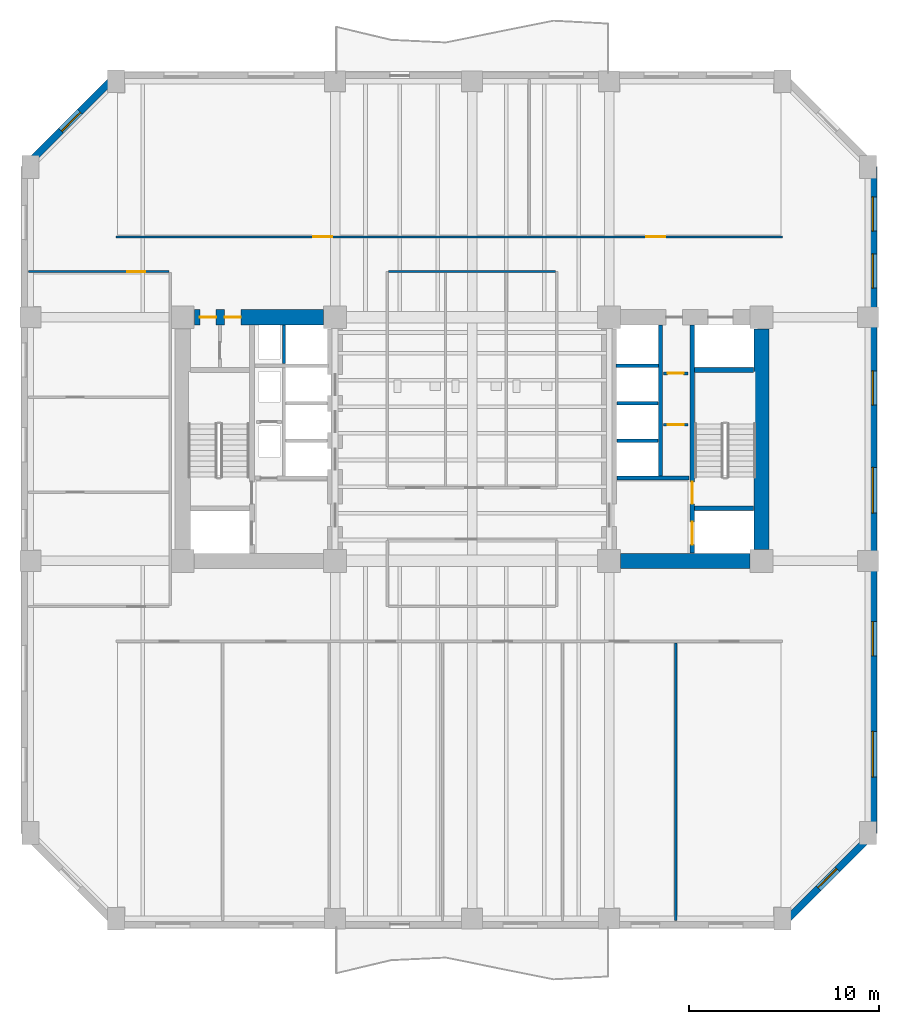
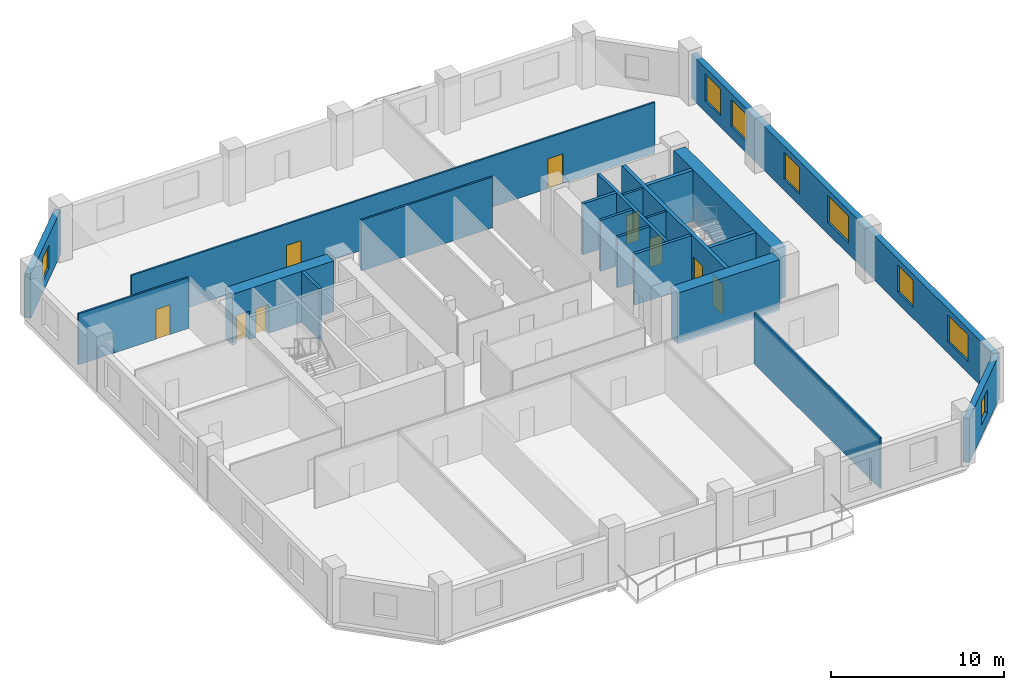
# One storey, part 4 of 10: 21 walls, 9 doors, 8 windows, 17 openings.
"""IFC4 building model written with IfcOpenShell, lengths in metres."""

from ifc_helpers import new_model, si_unit, direction, frame, frame_2d, origin, place, context, subcontext, project, spatial, rectangle, extrude, material, layer, layer_set, type_object, element, fill, save


model = new_model("IFC4")

# Units and contexts
model_context = context("Model", 3, precision=1e-05, world=origin(), true_north=direction((0.0, 1.0)))
body_context = subcontext(model_context, "Body", "Model", "MODEL_VIEW")
ifc_project = project(units=[si_unit("LENGTHUNIT", "METRE"), si_unit("AREAUNIT", "SQUARE_METRE"), si_unit("VOLUMEUNIT", "CUBIC_METRE"), si_unit("PLANEANGLEUNIT", "RADIAN"), si_unit("MASSUNIT", "GRAM", prefix="KILO")], contexts=[model_context])

# Site, building, storey
site_placement = place(None, origin())
site = spatial("IfcSite", under=ifc_project, at=site_placement, CompositionType="ELEMENT")
building_placement = place(site_placement, origin())
building = spatial("IfcBuilding", under=site, at=building_placement, Name="Kranthara Brick Stack", CompositionType="ELEMENT")
storey_placement = place(building_placement, frame((0.0, 0.0, 36.0)))
storey = spatial("IfcBuildingStorey", under=building, at=storey_placement, Name="L08", CompositionType="ELEMENT", Elevation=36.0)

# Wall, opening, window
ifc_material_1 = material(Name="Kiln-fired clay brick masonry M15", Category="masonry")
ifc_layer_1 = layer(ifc_material_1, 0.3798828125)
ifc_layer_set_1 = layer_set([ifc_layer_1], Name="Kiln-fired clay brick masonry M15")
wall_type_1 = type_object("IfcWallType", Name="WL-BRK-PIER-380", PredefinedType="STANDARD", material=ifc_layer_set_1)
wall_1_placement = place(storey_placement, frame((4.510009765625, 41.5, 0.0), z_axis=(0.0, 0.0, 1.0), x_axis=(0.707106781187, 0.707106781187, 0.0)))
wall_1 = element("IfcWall", 1, at=wall_1_placement, inside=storey, type_object=wall_type_1, Name="L08 Exterior Brick Facade Wall NW 1", PredefinedType="STANDARD", context=body_context, shape_type="SweptSolid", body=[
    extrude(rectangle(XDim=6.774169921875, YDim=0.3798828125, at=frame_2d((3.38720703125, 0.0))), origin(), (0.0, 0.0, 1.0), 3.135009765625),
])
opening_1_placement = place(wall_1_placement, frame((2.68701171875, 0.0, 0.800048828125)))
opening_1 = element("IfcOpeningElement", 2, at=opening_1_placement, cuts=wall_1, Name="Opening WN10", PredefinedType="OPENING", context=body_context, shape_type="SweptSolid", body=[
    extrude(rectangle(XDim=1.39990234375, YDim=1.64990234375, at=frame_2d((0.699951171875, 0.824951171875))), frame((0.0, 0.199951171875, 0.0), z_axis=(0.0, -1.0, 0.0), x_axis=(1.0, 0.0, 0.0)), (0.0, 0.0, 1.0), 0.39990234375),
])
ifc_material_2 = material(Name="Double-glazed low-E solar control glass", Category="glass")
window_type_1 = type_object("IfcWindowType", Name="WN-CHM-1400x1750", PartitioningType="SINGLE_PANEL", PredefinedType="WINDOW", material=ifc_material_2)
window_1_placement = place(opening_1_placement, origin())
window_1 = element("IfcWindow", 3, at=window_1_placement, inside=storey, type_object=window_type_1, Name="L08 NW Chamfer Corner Window", OverallHeight=1.64990234375, OverallWidth=1.39990234375, PartitioningType="SINGLE_PANEL", PredefinedType="WINDOW", context=body_context, shape_type="SweptSolid", body=[
    extrude(rectangle(XDim=1.39990234375, YDim=1.64990234375, at=frame_2d((0.699951171875, 0.824951171875))), frame((0.0, -0.010009765625, 0.0), z_axis=(0.0, -1.0, 0.0), x_axis=(1.0, 0.0, 0.0)), (0.0, 0.0, 1.0), 0.06005859375),
])
fill(opening_1, window_1)

# Wall, openings, windows
wall_2_placement = place(storey_placement, frame((49.090087890625, 41.5, 0.0), z_axis=(0.0, 0.0, 1.0), x_axis=(0.0, -1.0, 0.0)))
wall_2 = element("IfcWall", 4, at=wall_2_placement, inside=storey, type_object=wall_type_1, Name="L08 Exterior Brick Facade Wall EAST 1", PredefinedType="STANDARD", context=body_context, shape_type="SweptSolid", body=[
    extrude(rectangle(XDim=35.0, YDim=0.3798828125, at=frame_2d((17.5, 0.0))), origin(), (0.0, 0.0, 1.0), 3.135009765625),
])
opening_2_placement = place(wall_2_placement, frame((1.574951171875, 0.0, 0.800048828125)))
opening_2 = element("IfcOpeningElement", 5, at=opening_2_placement, cuts=wall_2, Name="Opening WN01", PredefinedType="OPENING", context=body_context, shape_type="SweptSolid", body=[
    extrude(rectangle(XDim=1.800048828125, YDim=1.89990234375, at=frame_2d((0.89990234375, 0.949951171875))), frame((0.0, 0.199951171875, 0.0), z_axis=(0.0, -1.0, 0.0), x_axis=(1.0, 0.0, 0.0)), (0.0, 0.0, 1.0), 0.39990234375),
])
opening_3_placement = place(wall_2_placement, frame((4.574951171875, 0.0, 0.800048828125)))
opening_3 = element("IfcOpeningElement", 6, at=opening_3_placement, cuts=wall_2, Name="Opening WN01", PredefinedType="OPENING", context=body_context, shape_type="SweptSolid", body=[
    extrude(rectangle(XDim=1.800048828125, YDim=1.89990234375, at=frame_2d((0.89990234375, 0.949951171875))), frame((0.0, 0.199951171875, 0.0), z_axis=(0.0, -1.0, 0.0), x_axis=(1.0, 0.0, 0.0)), (0.0, 0.0, 1.0), 0.39990234375),
])
opening_4_placement = place(wall_2_placement, frame((10.7119140625, 0.0, 0.800048828125)))
opening_4 = element("IfcOpeningElement", 7, at=opening_4_placement, cuts=wall_2, Name="Opening WN01", PredefinedType="OPENING", context=body_context, shape_type="SweptSolid", body=[
    extrude(rectangle(XDim=1.800048828125, YDim=1.89990234375, at=frame_2d((0.89990234375, 0.949951171875))), frame((0.0, 0.199951171875, 0.0), z_axis=(0.0, -1.0, 0.0), x_axis=(1.0, 0.0, 0.0)), (0.0, 0.0, 1.0), 0.39990234375),
])
opening_5_placement = place(wall_2_placement, frame((15.7880859375, 0.0, 0.800048828125)))
opening_5 = element("IfcOpeningElement", 8, at=opening_5_placement, cuts=wall_2, Name="Opening WN02", PredefinedType="OPENING", context=body_context, shape_type="SweptSolid", body=[
    extrude(rectangle(XDim=2.39990234375, YDim=1.89990234375, at=frame_2d((1.199951171875, 0.949951171875))), frame((0.0, 0.199951171875, 0.0), z_axis=(0.0, -1.0, 0.0), x_axis=(1.0, 0.0, 0.0)), (0.0, 0.0, 1.0), 0.39990234375),
])
opening_6_placement = place(wall_2_placement, frame((23.888916015625, 0.0, 0.800048828125)))
opening_6 = element("IfcOpeningElement", 9, at=opening_6_placement, cuts=wall_2, Name="Opening WN01", PredefinedType="OPENING", context=body_context, shape_type="SweptSolid", body=[
    extrude(rectangle(XDim=1.800048828125, YDim=1.89990234375, at=frame_2d((0.89990234375, 0.949951171875))), frame((0.0, 0.199951171875, 0.0), z_axis=(0.0, -1.0, 0.0), x_axis=(1.0, 0.0, 0.0)), (0.0, 0.0, 1.0), 0.39990234375),
])
opening_7_placement = place(wall_2_placement, frame((29.660888671875, 0.0, 0.800048828125)))
opening_7 = element("IfcOpeningElement", 10, at=opening_7_placement, cuts=wall_2, Name="Opening WN02", PredefinedType="OPENING", context=body_context, shape_type="SweptSolid", body=[
    extrude(rectangle(XDim=2.39990234375, YDim=1.89990234375, at=frame_2d((1.199951171875, 0.949951171875))), frame((0.0, 0.199951171875, 0.0), z_axis=(0.0, -1.0, 0.0), x_axis=(1.0, 0.0, 0.0)), (0.0, 0.0, 1.0), 0.39990234375),
])
ifc_material_3 = material(Name="Double-glazed low-E solar control glass", Category="glass")
window_type_2 = type_object("IfcWindowType", Name="WN-OFF-1800x2000", PartitioningType="SINGLE_PANEL", PredefinedType="WINDOW", material=ifc_material_3)
window_2_placement = place(opening_2_placement, origin())
window_2 = element("IfcWindow", 11, at=window_2_placement, inside=storey, type_object=window_type_2, Name="L08 East Deep-Set Brick Window 01", OverallHeight=1.89990234375, OverallWidth=1.800048828125, PartitioningType="SINGLE_PANEL", PredefinedType="WINDOW", context=body_context, shape_type="SweptSolid", body=[
    extrude(rectangle(XDim=1.800048828125, YDim=1.89990234375, at=frame_2d((0.89990234375, 0.949951171875))), frame((0.0, -0.010009765625, 0.0), z_axis=(0.0, -1.0, 0.0), x_axis=(1.0, 0.0, 0.0)), (0.0, 0.0, 1.0), 0.06005859375),
])
fill(opening_2, window_2)
window_3_placement = place(opening_3_placement, origin())
window_3 = element("IfcWindow", 12, at=window_3_placement, inside=storey, type_object=window_type_2, Name="L08 East Deep-Set Brick Window 02", OverallHeight=1.89990234375, OverallWidth=1.800048828125, PartitioningType="SINGLE_PANEL", PredefinedType="WINDOW", context=body_context, shape_type="SweptSolid", body=[
    extrude(rectangle(XDim=1.800048828125, YDim=1.89990234375, at=frame_2d((0.89990234375, 0.949951171875))), frame((0.0, -0.010009765625, 0.0), z_axis=(0.0, -1.0, 0.0), x_axis=(1.0, 0.0, 0.0)), (0.0, 0.0, 1.0), 0.06005859375),
])
fill(opening_3, window_3)
window_4_placement = place(opening_4_placement, origin())
window_4 = element("IfcWindow", 13, at=window_4_placement, inside=storey, type_object=window_type_2, Name="L08 East Deep-Set Brick Window 03", OverallHeight=1.89990234375, OverallWidth=1.800048828125, PartitioningType="SINGLE_PANEL", PredefinedType="WINDOW", context=body_context, shape_type="SweptSolid", body=[
    extrude(rectangle(XDim=1.800048828125, YDim=1.89990234375, at=frame_2d((0.89990234375, 0.949951171875))), frame((0.0, -0.010009765625, 0.0), z_axis=(0.0, -1.0, 0.0), x_axis=(1.0, 0.0, 0.0)), (0.0, 0.0, 1.0), 0.06005859375),
])
fill(opening_4, window_4)
window_5_placement = place(opening_6_placement, origin())
window_5 = element("IfcWindow", 14, at=window_5_placement, inside=storey, type_object=window_type_2, Name="L08 East Deep-Set Brick Window 05", OverallHeight=1.89990234375, OverallWidth=1.800048828125, PartitioningType="SINGLE_PANEL", PredefinedType="WINDOW", context=body_context, shape_type="SweptSolid", body=[
    extrude(rectangle(XDim=1.800048828125, YDim=1.89990234375, at=frame_2d((0.89990234375, 0.949951171875))), frame((0.0, -0.010009765625, 0.0), z_axis=(0.0, -1.0, 0.0), x_axis=(1.0, 0.0, 0.0)), (0.0, 0.0, 1.0), 0.06005859375),
])
fill(opening_6, window_5)
ifc_material_4 = material(Name="Double-glazed low-E solar control glass", Category="glass")
window_type_3 = type_object("IfcWindowType", Name="WN-OFF-2400x2000", PartitioningType="DOUBLE_PANEL_VERTICAL", PredefinedType="WINDOW", material=ifc_material_4)
window_6_placement = place(opening_5_placement, origin())
window_6 = element("IfcWindow", 15, at=window_6_placement, inside=storey, type_object=window_type_3, Name="L08 East Deep-Set Brick Window 04", OverallHeight=1.89990234375, OverallWidth=2.39990234375, PartitioningType="SINGLE_PANEL", PredefinedType="WINDOW", context=body_context, shape_type="SweptSolid", body=[
    extrude(rectangle(XDim=2.39990234375, YDim=1.89990234375, at=frame_2d((1.199951171875, 0.949951171875))), frame((0.0, -0.010009765625, 0.0), z_axis=(0.0, -1.0, 0.0), x_axis=(1.0, 0.0, 0.0)), (0.0, 0.0, 1.0), 0.06005859375),
])
fill(opening_5, window_6)
window_7_placement = place(opening_7_placement, origin())
window_7 = element("IfcWindow", 16, at=window_7_placement, inside=storey, type_object=window_type_3, Name="L08 East Deep-Set Brick Window 06", OverallHeight=1.89990234375, OverallWidth=2.39990234375, PartitioningType="SINGLE_PANEL", PredefinedType="WINDOW", context=body_context, shape_type="SweptSolid", body=[
    extrude(rectangle(XDim=2.39990234375, YDim=1.89990234375, at=frame_2d((1.199951171875, 0.949951171875))), frame((0.0, -0.010009765625, 0.0), z_axis=(0.0, -1.0, 0.0), x_axis=(1.0, 0.0, 0.0)), (0.0, 0.0, 1.0), 0.06005859375),
])
fill(opening_7, window_7)

# Wall, opening, window
wall_3_placement = place(storey_placement, frame((49.090087890625, 6.5, 0.0), z_axis=(0.0, 0.0, 1.0), x_axis=(-0.707106781187, -0.707106781187, 0.0)))
wall_3 = element("IfcWall", 17, at=wall_3_placement, inside=storey, type_object=wall_type_1, Name="L08 Exterior Brick Facade Wall SE 1", PredefinedType="STANDARD", context=body_context, shape_type="SweptSolid", body=[
    extrude(rectangle(XDim=6.774169921875, YDim=0.3798828125, at=frame_2d((3.38720703125, 0.0))), origin(), (0.0, 0.0, 1.0), 3.135009765625),
])
opening_8_placement = place(wall_3_placement, frame((2.68701171875, 0.0, 0.800048828125)))
opening_8 = element("IfcOpeningElement", 18, at=opening_8_placement, cuts=wall_3, Name="Opening WN10", PredefinedType="OPENING", context=body_context, shape_type="SweptSolid", body=[
    extrude(rectangle(XDim=1.39990234375, YDim=1.64990234375, at=frame_2d((0.699951171875, 0.824951171875))), frame((0.0, 0.199951171875, 0.0), z_axis=(0.0, -1.0, 0.0), x_axis=(1.0, 0.0, 0.0)), (0.0, 0.0, 1.0), 0.39990234375),
])
window_8_placement = place(opening_8_placement, origin())
window_8 = element("IfcWindow", 19, at=window_8_placement, inside=storey, type_object=window_type_1, Name="L08 SE Chamfer Corner Window", OverallHeight=1.64990234375, OverallWidth=1.39990234375, PartitioningType="SINGLE_PANEL", PredefinedType="WINDOW", context=body_context, shape_type="SweptSolid", body=[
    extrude(rectangle(XDim=1.39990234375, YDim=1.64990234375, at=frame_2d((0.699951171875, 0.824951171875))), frame((0.0, -0.010009765625, 0.0), z_axis=(0.0, -1.0, 0.0), x_axis=(1.0, 0.0, 0.0)), (0.0, 0.0, 1.0), 0.06005859375),
])
fill(opening_8, window_8)

# Wall, openings, doors
ifc_material_5 = material(Name="Concrete C50/60", Category="concrete")
ifc_layer_2 = layer(ifc_material_5, 0.25)
ifc_layer_set_2 = layer_set([ifc_layer_2], Name="Concrete C50/60")
wall_type_2 = type_object("IfcWallType", Name="WL-CORE-250", PredefinedType="SHEAR", material=ifc_layer_set_2)
wall_4_placement = place(storey_placement, frame((39.56494140625, 21.2099609375, 0.0), z_axis=(0.0, 0.0, 1.0), x_axis=(0.0, 1.0, 0.0)))
wall_4 = element("IfcWall", 20, at=wall_4_placement, inside=storey, type_object=wall_type_2, Name="L08 East Core Stair Bearing Spine Wall", PredefinedType="SHEAR", context=body_context, shape_type="SweptSolid", body=[
    extrude(rectangle(XDim=11.97998046875, YDim=0.25, at=frame_2d((5.989990234375, 0.0))), origin(), (0.0, 0.0, 1.0), 3.60009765625),
])
opening_9_placement = place(wall_4_placement, frame((0.43994140625, 0.0, 0.0)))
opening_9 = element("IfcOpeningElement", 21, at=opening_9_placement, cuts=wall_4, Name="Opening LD01", PredefinedType="OPENING", context=body_context, shape_type="SweptSolid", body=[
    extrude(rectangle(XDim=1.199951171875, YDim=2.14990234375, at=frame_2d((0.60009765625, 1.074951171875))), frame((0.0, 0.135009765625, 0.0), z_axis=(0.0, -1.0, 0.0), x_axis=(1.0, 0.0, 0.0)), (0.0, 0.0, 1.0), 0.27001953125),
])
opening_10_placement = place(wall_4_placement, frame((2.590087890625, 0.0, 0.0)))
opening_10 = element("IfcOpeningElement", 22, at=opening_10_placement, cuts=wall_4, Name="Opening D05", PredefinedType="OPENING", context=body_context, shape_type="SweptSolid", body=[
    extrude(rectangle(XDim=1.14990234375, YDim=2.14990234375, at=frame_2d((0.574951171875, 1.074951171875))), frame((0.0, 0.135009765625, 0.0), z_axis=(0.0, -1.0, 0.0), x_axis=(1.0, 0.0, 0.0)), (0.0, 0.0, 1.0), 0.27001953125),
])
ifc_material_6 = material(Name="Stainless steel sliding landing door", Category="steel")
door_type_1 = type_object("IfcDoorType", Name="DR-LD-FF1200", OperationType="DOUBLE_DOOR_SLIDING", PredefinedType="DOOR", material=ifc_material_6)
door_1_placement = place(opening_9_placement, origin())
door_1 = element("IfcDoor", 23, at=door_1_placement, inside=storey, type_object=door_type_1, Name="L08 Firefighting Lift FF-02 Landing Door", OperationType="DOUBLE_DOOR_SLIDING", OverallHeight=2.14990234375, OverallWidth=1.199951171875, PredefinedType="DOOR", context=body_context, shape_type="SweptSolid", body=[
    extrude(rectangle(XDim=1.199951171875, YDim=2.14990234375, at=frame_2d((0.60009765625, 1.074951171875))), frame((0.0, 0.02490234375, 0.0), z_axis=(0.0, -1.0, 0.0), x_axis=(1.0, 0.0, 0.0)), (0.0, 0.0, 1.0), 0.050048828125),
])
fill(opening_9, door_1)
ifc_material_7 = material(Name="Solid-core hardwood timber leaf in steel frame", Category="steel")
door_type_2 = type_object("IfcDoorType", Name="DR-ST-1150", OperationType="NOTDEFINED", PredefinedType="DOOR", material=ifc_material_7)
door_2_placement = place(opening_10_placement, origin())
door_2 = element("IfcDoor", 24, at=door_2_placement, inside=storey, type_object=door_type_2, Name="L08 Exit Stair ST02 Door", OperationType="SINGLE_SWING_LEFT", OverallHeight=2.14990234375, OverallWidth=1.14990234375, PredefinedType="DOOR", context=body_context, shape_type="SweptSolid", body=[
    extrude(rectangle(XDim=1.14990234375, YDim=2.14990234375, at=frame_2d((0.574951171875, 1.074951171875))), frame((0.0, 0.02490234375, 0.0), z_axis=(0.0, -1.0, 0.0), x_axis=(1.0, 0.0, 0.0)), (0.0, 0.0, 1.0), 0.050048828125),
])
fill(opening_10, door_2)

# Walls
for number, where, z_axis, x_axis, name in (
    (25, (39.68994140625, 23.570068359375, 0.0), (0.0, 0.0, 1.0), (1.0, 0.0, 0.0), "L08 East Stairwell Bearing Wall EFF"),
    (26, (39.68994140625, 30.830078125, 0.0), (0.0, 0.0, 1.0), (1.0, 0.0, 0.0), "L08 East Stairwell Bearing Wall EST"),
):
    element("IfcWall", number, at=place(storey_placement, frame(where, z_axis=z_axis, x_axis=x_axis)), inside=storey, type_object=wall_type_2, Name=name, PredefinedType="SHEAR", context=body_context, shape_type="SweptSolid", body=[
        extrude(rectangle(XDim=3.10009765625, YDim=0.25, at=frame_2d((1.550048828125, 0.0))), origin(), (0.0, 0.0, 1.0), 3.60009765625),
    ])

# Wall, openings, doors
ifc_material_8 = material(Name="Concrete C70/85", Category="concrete")
ifc_layer_3 = layer(ifc_material_8, 0.800048828125)
ifc_layer_set_3 = layer_set([ifc_layer_3], Name="Concrete C70/85")
wall_type_3 = type_object("IfcWallType", Name="WL-CORE-800", PredefinedType="SHEAR", material=ifc_layer_set_3)
wall_5_placement = place(storey_placement, frame((13.405029296875, 33.60009765625, 0.0), z_axis=(0.0, 0.0, 1.0), x_axis=(1.0, 0.0, 0.0)))
wall_5 = element("IfcWall", 27, at=wall_5_placement, inside=storey, type_object=wall_type_3, Name="L08 West Core Shear Wall North", PredefinedType="SHEAR", context=body_context, shape_type="SweptSolid", body=[
    extrude(rectangle(XDim=6.7900390625, YDim=0.800048828125, at=frame_2d((3.39501953125, 0.0))), origin(), (0.0, 0.0, 1.0), 3.60009765625),
])
opening_11_placement = place(wall_5_placement, frame((0.294921875, 0.0, 0.0)))
opening_11 = element("IfcOpeningElement", 28, at=opening_11_placement, cuts=wall_5, Name="Opening D10", PredefinedType="OPENING", context=body_context, shape_type="SweptSolid", body=[
    extrude(rectangle(XDim=0.85009765625, YDim=2.02001953125, at=frame_2d((0.425048828125, 1.010009765625))), frame((0.0, 0.409912109375, 0.0), z_axis=(0.0, -1.0, 0.0), x_axis=(1.0, 0.0, 0.0)), (0.0, 0.0, 1.0), 0.820068359375),
])
opening_12_placement = place(wall_5_placement, frame((1.594970703125, 0.0, 0.0)))
opening_12 = element("IfcOpeningElement", 29, at=opening_12_placement, cuts=wall_5, Name="Opening D10", PredefinedType="OPENING", context=body_context, shape_type="SweptSolid", body=[
    extrude(rectangle(XDim=0.85009765625, YDim=2.02001953125, at=frame_2d((0.425048828125, 1.010009765625))), frame((0.0, 0.409912109375, 0.0), z_axis=(0.0, -1.0, 0.0), x_axis=(1.0, 0.0, 0.0)), (0.0, 0.0, 1.0), 0.820068359375),
])
ifc_material_9 = material(Name="Solid-core hardwood timber leaf in steel frame", Category="steel")
door_type_3 = type_object("IfcDoorType", Name="DR-RSR-850", OperationType="NOTDEFINED", PredefinedType="DOOR", material=ifc_material_9)
door_3_placement = place(opening_11_placement, origin())
door_3 = element("IfcDoor", 30, at=door_3_placement, inside=storey, type_object=door_type_3, Name="L08 West Core Service Door 1", OperationType="SINGLE_SWING_LEFT", OverallHeight=2.02001953125, OverallWidth=0.85009765625, PredefinedType="DOOR", context=body_context, shape_type="SweptSolid", body=[
    extrude(rectangle(XDim=0.85009765625, YDim=2.02001953125, at=frame_2d((0.425048828125, 1.010009765625))), frame((0.0, 0.02490234375, 0.0), z_axis=(0.0, -1.0, 0.0), x_axis=(1.0, 0.0, 0.0)), (0.0, 0.0, 1.0), 0.050048828125),
])
fill(opening_11, door_3)
door_4_placement = place(opening_12_placement, origin())
door_4 = element("IfcDoor", 31, at=door_4_placement, inside=storey, type_object=door_type_3, Name="L08 West Core Service Door 2", OperationType="SINGLE_SWING_RIGHT", OverallHeight=2.02001953125, OverallWidth=0.85009765625, PredefinedType="DOOR", context=body_context, shape_type="SweptSolid", body=[
    extrude(rectangle(XDim=0.85009765625, YDim=2.02001953125, at=frame_2d((0.425048828125, 1.010009765625))), frame((0.0, 0.02490234375, 0.0), z_axis=(0.0, -1.0, 0.0), x_axis=(1.0, 0.0, 0.0)), (0.0, 0.0, 1.0), 0.050048828125),
])
fill(opening_12, door_4)

# Walls
wall_6_placement = place(storey_placement, frame((43.199951171875, 21.405029296875, 0.0), z_axis=(0.0, 0.0, 1.0), x_axis=(0.0, 1.0, 0.0)))
element("IfcWall", 32, at=wall_6_placement, inside=storey, type_object=wall_type_3, Name="L08 East Core Shear Wall East", PredefinedType="SHEAR", context=body_context, shape_type="SweptSolid", body=[
    extrude(rectangle(XDim=11.590087890625, YDim=0.800048828125, at=frame_2d((5.794921875, 0.0))), origin(), (0.0, 0.0, 1.0), 3.60009765625),
])
wall_7_placement = place(storey_placement, frame((35.804931640625, 20.800048828125, 0.0), z_axis=(0.0, 0.0, 1.0), x_axis=(1.0, 0.0, 0.0)))
element("IfcWall", 33, at=wall_7_placement, inside=storey, type_object=wall_type_3, Name="L08 East Core Shear Wall South", PredefinedType="SHEAR", context=body_context, shape_type="SweptSolid", body=[
    extrude(rectangle(XDim=6.7900390625, YDim=0.800048828125, at=frame_2d((3.39501953125, 0.0))), origin(), (0.0, 0.0, 1.0), 3.60009765625),
])
ifc_material_10 = material(Name="Acoustic gypsum plasterboard partition", Category="other")
ifc_layer_4 = layer(ifc_material_10, 0.1201171875)
ifc_layer_set_4 = layer_set([ifc_layer_4], Name="Acoustic gypsum plasterboard partition")
wall_type_4 = type_object("IfcWallType", Name="WL-PART-120", PredefinedType="PARTITIONING", material=ifc_layer_set_4)
wall_8_placement = place(storey_placement, frame((23.614990234375, 36.0, 0.0), z_axis=(0.0, 0.0, 1.0), x_axis=(1.0, 0.0, 0.0)))
element("IfcWall", 34, at=wall_8_placement, inside=storey, type_object=wall_type_4, Name="L08 Interior Partition 010", PredefinedType="PARTITIONING", context=body_context, shape_type="SweptSolid", body=[
    extrude(rectangle(XDim=8.77001953125, YDim=0.1201171875, at=frame_2d((4.385009765625, 0.0))), origin(), (0.0, 0.0, 1.0), 3.60009765625),
])
wall_9_placement = place(storey_placement, frame((38.699951171875, 1.905029296875, 0.0), z_axis=(0.0, 0.0, 1.0), x_axis=(0.0, 1.0, 0.0)))
element("IfcWall", 35, at=wall_9_placement, inside=storey, type_object=wall_type_4, Name="L08 Interior Partition 020", PredefinedType="PARTITIONING", context=body_context, shape_type="SweptSolid", body=[
    extrude(rectangle(XDim=14.574951171875, YDim=0.1201171875, at=frame_2d((7.28759765625, 0.0))), origin(), (0.0, 0.0, 1.0), 3.60009765625),
])

# Wall, openings, doors
wall_10_placement = place(storey_placement, frame((9.300048828125, 37.820068359375, 0.0), z_axis=(0.0, 0.0, 1.0), x_axis=(1.0, 0.0, 0.0)))
wall_10 = element("IfcWall", 36, at=wall_10_placement, inside=storey, type_object=wall_type_4, Name="L08 Interior Partition 021", PredefinedType="PARTITIONING", context=body_context, shape_type="SweptSolid", body=[
    extrude(rectangle(XDim=35.0, YDim=0.1201171875, at=frame_2d((17.5, 0.0))), origin(), (0.0, 0.0, 1.0), 3.60009765625),
])
opening_13_placement = place(wall_10_placement, frame((10.35009765625, 0.0, 0.0)))
opening_13 = element("IfcOpeningElement", 37, at=opening_13_placement, cuts=wall_10, Name="Opening D13", PredefinedType="OPENING", context=body_context, shape_type="SweptSolid", body=[
    extrude(rectangle(XDim=1.0, YDim=2.10009765625, at=frame_2d((0.5, 1.050048828125))), frame((0.0, 0.070068359375, 0.0), z_axis=(0.0, -1.0, 0.0), x_axis=(1.0, 0.0, 0.0)), (0.0, 0.0, 1.0), 0.14013671875),
])
opening_14_placement = place(wall_10_placement, frame((27.85009765625, 0.0, 0.0)))
opening_14 = element("IfcOpeningElement", 38, at=opening_14_placement, cuts=wall_10, Name="Opening D13", PredefinedType="OPENING", context=body_context, shape_type="SweptSolid", body=[
    extrude(rectangle(XDim=1.0, YDim=2.10009765625, at=frame_2d((0.5, 1.050048828125))), frame((0.0, 0.070068359375, 0.0), z_axis=(0.0, -1.0, 0.0), x_axis=(1.0, 0.0, 0.0)), (0.0, 0.0, 1.0), 0.14013671875),
])
ifc_material_11 = material(Name="Solid-core hardwood timber leaf in steel frame", Category="steel")
door_type_4 = type_object("IfcDoorType", Name="DR-INT-1000", OperationType="NOTDEFINED", PredefinedType="DOOR", material=ifc_material_11)
door_5_placement = place(opening_13_placement, origin())
door_5 = element("IfcDoor", 39, at=door_5_placement, inside=storey, type_object=door_type_4, Name="L08 Open Plan Workspace 15", OperationType="SINGLE_SWING_LEFT", OverallHeight=2.10009765625, OverallWidth=1.0, PredefinedType="DOOR", context=body_context, shape_type="SweptSolid", body=[
    extrude(rectangle(XDim=1.0, YDim=2.10009765625, at=frame_2d((0.5, 1.050048828125))), frame((0.0, 0.02490234375, 0.0), z_axis=(0.0, -1.0, 0.0), x_axis=(1.0, 0.0, 0.0)), (0.0, 0.0, 1.0), 0.050048828125),
])
fill(opening_13, door_5)
door_6_placement = place(opening_14_placement, origin())
door_6 = element("IfcDoor", 40, at=door_6_placement, inside=storey, type_object=door_type_4, Name="L08 Staff Pantry 16", OperationType="SINGLE_SWING_RIGHT", OverallHeight=2.10009765625, OverallWidth=1.0, PredefinedType="DOOR", context=body_context, shape_type="SweptSolid", body=[
    extrude(rectangle(XDim=1.0, YDim=2.10009765625, at=frame_2d((0.5, 1.050048828125))), frame((0.0, 0.02490234375, 0.0), z_axis=(0.0, -1.0, 0.0), x_axis=(1.0, 0.0, 0.0)), (0.0, 0.0, 1.0), 0.050048828125),
])
fill(opening_14, door_6)

# Wall, opening, door
wall_11_placement = place(storey_placement, frame((4.705078125, 36.0, 0.0), z_axis=(0.0, 0.0, 1.0), x_axis=(1.0, 0.0, 0.0)))
wall_11 = element("IfcWall", 41, at=wall_11_placement, inside=storey, type_object=wall_type_4, Name="L08 Interior Partition 025", PredefinedType="PARTITIONING", context=body_context, shape_type="SweptSolid", body=[
    extrude(rectangle(XDim=7.3798828125, YDim=0.1201171875, at=frame_2d((3.68994140625, 0.0))), origin(), (0.0, 0.0, 1.0), 3.60009765625),
])
opening_15_placement = place(wall_11_placement, frame((5.179931640625, 0.0, 0.0)))
opening_15 = element("IfcOpeningElement", 42, at=opening_15_placement, cuts=wall_11, Name="Opening D14", PredefinedType="OPENING", context=body_context, shape_type="SweptSolid", body=[
    extrude(rectangle(XDim=0.949951171875, YDim=2.10009765625, at=frame_2d((0.47509765625, 1.050048828125))), frame((0.0, 0.070068359375, 0.0), z_axis=(0.0, -1.0, 0.0), x_axis=(1.0, 0.0, 0.0)), (0.0, 0.0, 1.0), 0.14013671875),
])
ifc_material_12 = material(Name="Solid-core hardwood timber leaf in steel frame", Category="steel")
door_type_5 = type_object("IfcDoorType", Name="DR-INT-950", OperationType="NOTDEFINED", PredefinedType="DOOR", material=ifc_material_12)
door_7_placement = place(opening_15_placement, origin())
door_7 = element("IfcDoor", 43, at=door_7_placement, inside=storey, type_object=door_type_5, Name="L08 West North Office 20", OperationType="SINGLE_SWING_RIGHT", OverallHeight=2.10009765625, OverallWidth=0.949951171875, PredefinedType="DOOR", context=body_context, shape_type="SweptSolid", body=[
    extrude(rectangle(XDim=0.949951171875, YDim=2.10009765625, at=frame_2d((0.47509765625, 1.050048828125))), frame((0.0, 0.02490234375, 0.0), z_axis=(0.0, -1.0, 0.0), x_axis=(1.0, 0.0, 0.0)), (0.0, 0.0, 1.0), 0.050048828125),
])
fill(opening_15, door_7)

ifc_material_13 = material(Name="Fire-rated gypsum board partition", Category="other")
ifc_layer_5 = layer(ifc_material_13, 0.14990234375)
ifc_layer_set_5 = layer_set([ifc_layer_5], Name="Fire-rated gypsum board partition")
wall_type_5 = type_object("IfcWallType", Name="WL-PART-150", PredefinedType="PARTITIONING", material=ifc_layer_set_5)
wall_12_placement = place(storey_placement, frame((38.050048828125, 27.949951171875, 0.0), z_axis=(0.0, 0.0, 1.0), x_axis=(1.0, 0.0, 0.0)))
wall_12 = element("IfcWall", 44, at=wall_12_placement, inside=storey, type_object=wall_type_5, Name="L08 Interior Partition 002", PredefinedType="PARTITIONING", context=body_context, shape_type="SweptSolid", body=[
    extrude(rectangle(XDim=1.300048828125, YDim=0.14990234375, at=frame_2d((0.64990234375, 0.0))), origin(), (0.0, 0.0, 1.0), 3.60009765625),
])
opening_16_placement = place(wall_12_placement, frame((0.219970703125, 0.0, 0.0)))
opening_16 = element("IfcOpeningElement", 45, at=opening_16_placement, cuts=wall_12, Name="Opening D10", PredefinedType="OPENING", context=body_context, shape_type="SweptSolid", body=[
    extrude(rectangle(XDim=0.85009765625, YDim=2.02001953125, at=frame_2d((0.425048828125, 1.010009765625))), frame((0.0, 0.0849609375, 0.0), z_axis=(0.0, -1.0, 0.0), x_axis=(1.0, 0.0, 0.0)), (0.0, 0.0, 1.0), 0.169921875),
])
door_8_placement = place(opening_16_placement, origin())
door_8 = element("IfcDoor", 46, at=door_8_placement, inside=storey, type_object=door_type_3, Name="L08 Riser Door 1 02", OperationType="SINGLE_SWING_RIGHT", OverallHeight=2.02001953125, OverallWidth=0.85009765625, PredefinedType="DOOR", context=body_context, shape_type="SweptSolid", body=[
    extrude(rectangle(XDim=0.85009765625, YDim=2.02001953125, at=frame_2d((0.425048828125, 1.010009765625))), frame((0.0, 0.02490234375, 0.0), z_axis=(0.0, -1.0, 0.0), x_axis=(1.0, 0.0, 0.0)), (0.0, 0.0, 1.0), 0.050048828125),
])
fill(opening_16, door_8)

wall_13_placement = place(storey_placement, frame((38.050048828125, 30.64990234375, 0.0), z_axis=(0.0, 0.0, 1.0), x_axis=(1.0, 0.0, 0.0)))
wall_13 = element("IfcWall", 47, at=wall_13_placement, inside=storey, type_object=wall_type_5, Name="L08 Interior Partition 003", PredefinedType="PARTITIONING", context=body_context, shape_type="SweptSolid", body=[
    extrude(rectangle(XDim=1.300048828125, YDim=0.14990234375, at=frame_2d((0.64990234375, 0.0))), origin(), (0.0, 0.0, 1.0), 3.60009765625),
])
opening_17_placement = place(wall_13_placement, frame((0.219970703125, 0.0, 0.0)))
opening_17 = element("IfcOpeningElement", 48, at=opening_17_placement, cuts=wall_13, Name="Opening D10", PredefinedType="OPENING", context=body_context, shape_type="SweptSolid", body=[
    extrude(rectangle(XDim=0.85009765625, YDim=2.02001953125, at=frame_2d((0.425048828125, 1.010009765625))), frame((0.0, 0.0849609375, 0.0), z_axis=(0.0, -1.0, 0.0), x_axis=(1.0, 0.0, 0.0)), (0.0, 0.0, 1.0), 0.169921875),
])
door_9_placement = place(opening_17_placement, origin())
door_9 = element("IfcDoor", 49, at=door_9_placement, inside=storey, type_object=door_type_3, Name="L08 Riser Door 2 03", OperationType="SINGLE_SWING_LEFT", OverallHeight=2.02001953125, OverallWidth=0.85009765625, PredefinedType="DOOR", context=body_context, shape_type="SweptSolid", body=[
    extrude(rectangle(XDim=0.85009765625, YDim=2.02001953125, at=frame_2d((0.425048828125, 1.010009765625))), frame((0.0, 0.02490234375, 0.0), z_axis=(0.0, -1.0, 0.0), x_axis=(1.0, 0.0, 0.0)), (0.0, 0.0, 1.0), 0.050048828125),
])
fill(opening_17, door_9)

# Walls
ifc_material_14 = material(Name="Gypsum plasterboard on acoustic twin stud", Category="other")
ifc_layer_6 = layer(ifc_material_14, 0.179931640625)
ifc_layer_set_6 = layer_set([ifc_layer_6], Name="Gypsum plasterboard on acoustic twin stud")
wall_type_6 = type_object("IfcWallType", Name="WL-PART-180", PredefinedType="PARTITIONING", material=ifc_layer_set_6)
wall_14_placement = place(storey_placement, frame((18.1201171875, 31.169921875, 0.0), z_axis=(0.0, 0.0, 1.0), x_axis=(0.0, 1.0, 0.0)))
element("IfcWall", 50, at=wall_14_placement, inside=storey, type_object=wall_type_6, Name="L08 West Hoistway Wall WBK7", PredefinedType="PARTITIONING", context=body_context, shape_type="SweptSolid", body=[
    extrude(rectangle(XDim=2.02001953125, YDim=0.179931640625, at=frame_2d((1.010009765625, 0.0))), origin(), (0.0, 0.0, 1.0), 3.60009765625),
])
for number, where, z_axis, x_axis, name in (
    (51, (35.610107421875, 27.1201171875, 0.0), (0.0, 0.0, 1.0), (1.0, 0.0, 0.0), "L08 East Hoistway Wall EH1"),
    (52, (35.610107421875, 29.080078125, 0.0), (0.0, 0.0, 1.0), (1.0, 0.0, 0.0), "L08 East Hoistway Wall EH2"),
):
    element("IfcWall", number, at=place(storey_placement, frame(where, z_axis=z_axis, x_axis=x_axis)), inside=storey, type_object=wall_type_6, Name=name, PredefinedType="PARTITIONING", context=body_context, shape_type="SweptSolid", body=[
        extrude(rectangle(XDim=2.169921875, YDim=0.179931640625, at=frame_2d((1.0849609375, 0.0))), origin(), (0.0, 0.0, 1.0), 3.60009765625),
    ])
ifc_material_15 = material(Name="Concrete C40/50", Category="concrete")
ifc_layer_7 = layer(ifc_material_15, 0.199951171875)
ifc_layer_set_7 = layer_set([ifc_layer_7], Name="Concrete C40/50")
wall_type_7 = type_object("IfcWallType", Name="WL-PART-200", PredefinedType="SOLIDWALL", material=ifc_layer_set_7)
wall_15_placement = place(storey_placement, frame((35.610107421875, 25.14990234375, 0.0), z_axis=(0.0, 0.0, 1.0), x_axis=(1.0, 0.0, 0.0)))
element("IfcWall", 53, at=wall_15_placement, inside=storey, type_object=wall_type_7, Name="L08 East Core Cross Wall EFL", PredefinedType="SOLIDWALL", context=body_context, shape_type="SweptSolid", body=[
    extrude(rectangle(XDim=3.789794921875, YDim=0.199951171875, at=frame_2d((1.89501953125, 0.0))), origin(), (0.0, 0.0, 1.0), 3.60009765625),
])
wall_16_placement = place(storey_placement, frame((35.550048828125, 31.050048828125, 0.0), z_axis=(0.0, 0.0, 1.0), x_axis=(1.0, 0.0, 0.0)))
element("IfcWall", 54, at=wall_16_placement, inside=storey, type_object=wall_type_7, Name="L08 East Core Cross Wall EE4", PredefinedType="SOLIDWALL", context=body_context, shape_type="SweptSolid", body=[
    extrude(rectangle(XDim=2.25, YDim=0.199951171875, at=frame_2d((1.125, 0.0))), origin(), (0.0, 0.0, 1.0), 3.60009765625),
])
wall_17_placement = place(storey_placement, frame((37.89990234375, 25.27001953125, 0.0), z_axis=(0.0, 0.0, 1.0), x_axis=(0.0, 1.0, 0.0)))
element("IfcWall", 55, at=wall_17_placement, inside=storey, type_object=wall_type_7, Name="L08 East Core Cross Wall ESV", PredefinedType="SOLIDWALL", context=body_context, shape_type="SweptSolid", body=[
    extrude(rectangle(XDim=7.919921875, YDim=0.199951171875, at=frame_2d((3.9599609375, 0.0))), origin(), (0.0, 0.0, 1.0), 3.60009765625),
])

save(model, "model.ifc")
